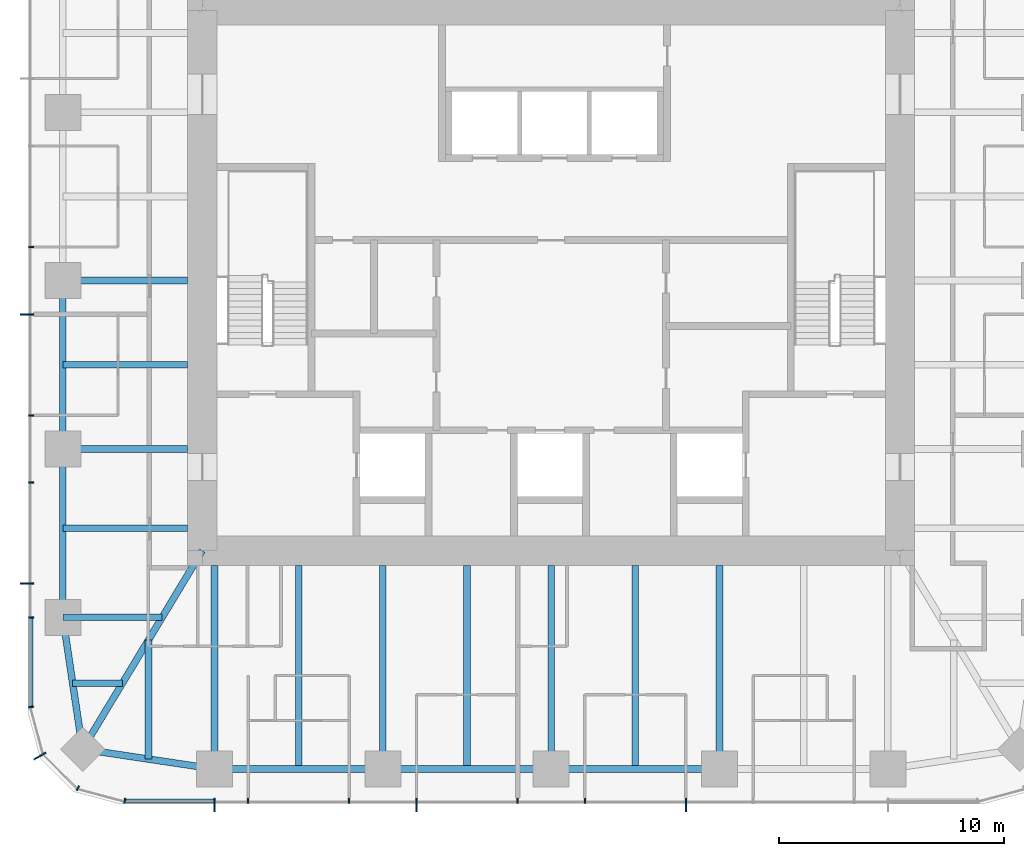
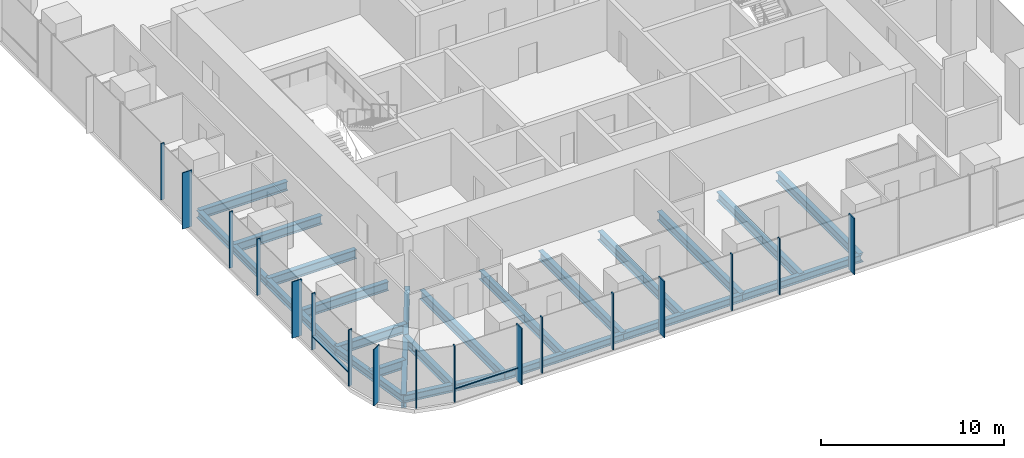
# One storey, part 2 of 12: 22 beams, 19 members, 3 elements without a shape of their own.
"""IFC4 building model written with IfcOpenShell, lengths in metres."""

import ifcopenshell
import ifcopenshell.guid

model = None  # the IFC model being written
_history = None  # IfcOwnerHistory: only IFC2X3 demands one
_inside = {}  # id of a spatial element -> (the spatial element, [elements in it])
_under = {}  # id of a project, library or spatial element -> (it, [spatial elements below it])
_declared = {}  # id of a project -> (the project, [libraries it declares])
_typed = {}  # id of a type object -> (the type object, [elements of that type])
_made_of = {}  # id of a material, layer set ... -> (it, [elements and type objects made of it])


def new_model(schema):
    """Start an empty IFC model of exactly this schema.

    Asked for "IFC4X3", IfcOpenShell would pick the latest addendum, in which some entities
    have other attributes; the version numbers below select the first issue.
    IFC2X3 requires an IfcOwnerHistory on every rooted entity: one is made here for all.
    """
    global model, _history
    if schema == "IFC4X3":
        model = ifcopenshell.file(schema_version=(4, 3, 0, 0))
    else:
        model = ifcopenshell.file(schema=schema)
    _inside.clear()
    _under.clear()
    _declared.clear()
    _typed.clear()
    _made_of.clear()
    _history = None
    if model.schema == "IFC2X3":
        org = make("IfcOrganization", Name="unknown")
        user = make(
            "IfcPersonAndOrganization",
            ThePerson=make("IfcPerson", FamilyName="unknown"),
            TheOrganization=org,
        )
        app = make(
            "IfcApplication",
            ApplicationDeveloper=org,
            Version="unknown",
            ApplicationFullName="unknown",
            ApplicationIdentifier="unknown",
        )
        _history = make(
            "IfcOwnerHistory",
            OwningUser=user,
            OwningApplication=app,
            ChangeAction="ADDED",
            CreationDate=0,
        )
    return model


def make(cls, **values):
    """One entity of the class cls with the attributes given. An attribute that is None is left unset."""
    return model.create_entity(
        cls, **{name: value for name, value in values.items() if value is not None}
    )


def rooted(cls, **values):
    """An entity with a GlobalId (a new one), such as an element, a storey or a relation."""
    return make(cls, GlobalId=ifcopenshell.guid.new(), OwnerHistory=_history, **values)


def si_unit(unit_type, name, prefix=None):
    """IfcSIUnit, for example si_unit("LENGTHUNIT", "METRE", prefix="MILLI")."""
    return make("IfcSIUnit", UnitType=unit_type, Prefix=prefix, Name=name)


def assignment(units):
    """IfcUnitAssignment: the units of a project."""
    return None if units is None else make("IfcUnitAssignment", Units=units)


def point(xyz):
    """IfcCartesianPoint."""
    return None if xyz is None else make("IfcCartesianPoint", Coordinates=xyz)


def direction(xyz):
    """IfcDirection."""
    return None if xyz is None else make("IfcDirection", DirectionRatios=xyz)


def frame(location, z_axis=None, x_axis=None):
    """IfcAxis2Placement3D, a coordinate frame: its origin and axes. An axis left out is left unset."""
    return make(
        "IfcAxis2Placement3D",
        Location=point(location),
        Axis=direction(z_axis),
        RefDirection=direction(x_axis),
    )


def frame_2d(location, x_axis=None):
    """IfcAxis2Placement2D, a coordinate frame in the plane: its origin and x axis."""
    return make(
        "IfcAxis2Placement2D", Location=point(location), RefDirection=direction(x_axis)
    )


def origin():
    """The frame at (0, 0, 0) with its axes left unset."""
    return frame((0.0, 0.0, 0.0))


def origin_2d():
    """The frame at (0, 0) in the plane with its x axis left unset."""
    return frame_2d((0.0, 0.0))


def place(relative_to, where):
    """IfcLocalPlacement: puts the frame where relative to a parent placement (None: the world)."""
    return make(
        "IfcLocalPlacement", PlacementRelTo=relative_to, RelativePlacement=where
    )


def context(
    kind, dimensions, precision=None, world=None, true_north=None, identifier=None
):
    """IfcGeometricRepresentationContext, for example the 3D "Model" context."""
    return make(
        "IfcGeometricRepresentationContext",
        ContextIdentifier=identifier,
        ContextType=kind,
        CoordinateSpaceDimension=dimensions,
        Precision=precision,
        WorldCoordinateSystem=world,
        TrueNorth=true_north,
    )


def subcontext(parent, identifier, kind, view, scale=None):
    """IfcGeometricRepresentationSubContext, for example "Body" below "Model"."""
    return make(
        "IfcGeometricRepresentationSubContext",
        ContextIdentifier=identifier,
        ContextType=kind,
        ParentContext=parent,
        TargetScale=scale,
        TargetView=view,
    )


def project(units=None, contexts=None):
    """IfcProject with its units and contexts."""
    return rooted(
        "IfcProject",
        Name="project",
        RepresentationContexts=contexts,
        UnitsInContext=assignment(units),
    )


def spatial(cls, under=None, at=None, **own):
    """A site, building, storey or space (cls), placed at a placement, below another one or the project."""
    s = rooted(cls, ObjectPlacement=at, **own)
    if under is not None:
        _under.setdefault(under.id(), (under, []))[1].append(s)
    return s


def profile(cls, at=None, kind="AREA", **sizes):
    """A parametric profile (cls). Its sizes go by their IFC names, for example OverallWidth=200.0."""
    return make(cls, ProfileType=kind, Position=at, **sizes)


def rectangle(**sizes):
    """IfcRectangleProfileDef."""
    return profile("IfcRectangleProfileDef", **sizes)


def i_section(**sizes):
    """IfcIShapeProfileDef."""
    return profile("IfcIShapeProfileDef", **sizes)


def extrude(swept, where, along, depth):
    """IfcExtrudedAreaSolid: the profile swept, set in the frame where, extruded along a direction by depth."""
    return make(
        "IfcExtrudedAreaSolid",
        SweptArea=swept,
        Position=where,
        ExtrudedDirection=direction(along),
        Depth=depth,
    )


def shape(context_of_items, identifier, shape_type, items):
    """IfcShapeRepresentation: the items that make up one representation, for example the "Body"."""
    return make(
        "IfcShapeRepresentation",
        ContextOfItems=context_of_items,
        RepresentationIdentifier=identifier,
        RepresentationType=shape_type,
        Items=items,
    )


def material(Name=None, Category=None):
    """IfcMaterial."""
    return make("IfcMaterial", Name=Name, Category=Category)


def material_profile(
    of_material, cross_section, Name=None, Category=None, Priority=None
):
    """IfcMaterialProfile: a cross section and its material."""
    return make(
        "IfcMaterialProfile",
        Name=Name,
        Material=of_material,
        Profile=cross_section,
        Priority=Priority,
        Category=Category,
    )


def profile_set(profiles, Name=None, composite=None):
    """IfcMaterialProfileSet."""
    return make(
        "IfcMaterialProfileSet",
        Name=Name,
        MaterialProfiles=profiles,
        CompositeProfile=composite,
    )


def made_of(thing, what):
    """Note that an element or type object is made of a material, layer set ...; save() writes the relation."""
    if what is not None:
        _made_of.setdefault(what.id(), (what, []))[1].append(thing)
    return thing


def type_object(cls, material=None, **own):
    """A type object (cls), such as IfcWallType, which elements share."""
    return made_of(rooted(cls, **own), material)


def element(
    cls,
    number,
    at=None,
    inside=None,
    cuts=None,
    type_object=None,
    material=None,
    context=None,
    identifier="Body",
    shape_type=None,
    held_by="IfcProductDefinitionShape",
    body=None,
    shapes=None,
    **own,
):
    """One element of the class cls, such as IfcWall. Its Tag is "e" and its number.

    at: its placement. inside: the storey or other place that contains it. cuts: it is an
    opening in that element (IfcRelVoidsElement). A single representation is given by context,
    identifier, shape_type and body (its items); several are given by shapes. held_by: the class
    of the entity that holds the representations. save() writes the other relations.
    """
    e = rooted(cls, Tag="e%d" % number, ObjectPlacement=at, **own)
    if body is not None:
        shapes = [shape(context, identifier, shape_type, body)]
    if shapes is not None:
        e.Representation = make(held_by, Representations=shapes)
    if inside is not None:
        _inside.setdefault(inside.id(), (inside, []))[1].append(e)
    if cuts is not None:
        rooted(
            "IfcRelVoidsElement", RelatingBuildingElement=cuts, RelatedOpeningElement=e
        )
    if type_object is not None:
        _typed.setdefault(type_object.id(), (type_object, []))[1].append(e)
    return made_of(e, material)


def aggregate(whole, parts):
    """IfcRelAggregates: a whole, such as a stair, and the parts it consists of."""
    return rooted("IfcRelAggregates", RelatingObject=whole, RelatedObjects=parts)


def save(model, path):
    """Write the relations noted so far, then the file.

    IfcRelAggregates (storeys below a building ...), IfcRelContainedInSpatialStructure (elements
    in a storey), IfcRelDefinesByType, IfcRelAssociatesMaterial and IfcRelDeclares: one each for
    every whole, place, type object, material and project.
    """
    for whole, parts in _under.values():
        aggregate(whole, parts)
    for where, things in _inside.values():
        rooted(
            "IfcRelContainedInSpatialStructure",
            RelatedElements=things,
            RelatingStructure=where,
        )
    for kind, things in _typed.values():
        rooted("IfcRelDefinesByType", RelatedObjects=things, RelatingType=kind)
    for what, things in _made_of.values():
        rooted("IfcRelAssociatesMaterial", RelatedObjects=things, RelatingMaterial=what)
    for by, libraries in _declared.values():
        rooted("IfcRelDeclares", RelatingContext=by, RelatedDefinitions=libraries)
    model.write(path)


model = new_model("IFC4")

# Units and contexts
model_context = context("Model", 3, precision=1e-05, world=origin(), true_north=direction((0.0, 1.0)))
body_context = subcontext(model_context, "Body", "Model", "MODEL_VIEW")
ifc_project = project(units=[si_unit("LENGTHUNIT", "METRE"), si_unit("AREAUNIT", "SQUARE_METRE"), si_unit("VOLUMEUNIT", "CUBIC_METRE"), si_unit("PLANEANGLEUNIT", "RADIAN"), si_unit("MASSUNIT", "GRAM", prefix="KILO")], contexts=[model_context])

# Site, building, storey
site_placement = place(None, origin())
site = spatial("IfcSite", under=ifc_project, at=site_placement, CompositionType="ELEMENT")
building_placement = place(site_placement, origin())
building = spatial("IfcBuilding", under=site, at=building_placement, Name="Khuree Lantern Residences", CompositionType="ELEMENT")
storey_placement = place(building_placement, frame((0.0, 0.0, 330.75)))
storey = spatial("IfcBuildingStorey", under=building, at=storey_placement, Name="L83", CompositionType="ELEMENT", Elevation=330.75)

# Beams
ifc_material_1 = material(Name="Steel S355", Category="steel")
ifc_material_profile_1 = material_profile(ifc_material_1, i_section(OverallWidth=0.300048828125, OverallDepth=0.590087890625, WebThickness=0.012939453125, FlangeThickness=0.02490234375, FilletRadius=0.027099609375, at=origin_2d()), Name="HE 600 A")
ifc_profile_set_1 = profile_set([ifc_material_profile_1], Name="Steel S355")
beam_type_1 = type_object("IfcBeamType", Name="B-44 SECONDARY BEAM HE 600 A", PredefinedType="BEAM", material=ifc_profile_set_1)
for number, where, z_axis, x_axis, name in (
    (1, (3.739990234375, -21.699951171875, -0.544921875), (0.0, 1.0, 0.0), (-1.0, 0.0, 0.0), "Secondary beam S3"),
    (2, (-3.739990234375, -21.699951171875, -0.544921875), (0.0, 1.0, 0.0), (-1.0, 0.0, 0.0), "Secondary beam S4"),
    (3, (-11.219970703125, -21.699951171875, -0.544921875), (0.0, 1.0, 0.0), (-1.0, 0.0, 0.0), "Secondary beam S5"),
):
    element("IfcBeam", number, at=place(storey_placement, frame(where, z_axis=z_axis, x_axis=x_axis)), inside=storey, type_object=beam_type_1, Name=name, PredefinedType="BEAM", context=body_context, shape_type="SweptSolid", body=[
        extrude(i_section(OverallWidth=0.300048828125, OverallDepth=0.590087890625, WebThickness=0.012939453125, FlangeThickness=0.02490234375, FilletRadius=0.027099609375, at=origin_2d()), origin(), (0.0, 0.0, 1.0), 9.050048828125),
    ])
beam_1_placement = place(storey_placement, frame((-17.890625, -21.2607421875, -0.544921875), z_axis=(0.0, 1.0, 0.0), x_axis=(-1.0, 0.0, 0.0)))
element("IfcBeam", 4, at=beam_1_placement, inside=storey, type_object=beam_type_1, Name="Secondary beam S6", PredefinedType="BEAM", context=body_context, shape_type="SweptSolid", body=[
    extrude(i_section(OverallWidth=0.300048828125, OverallDepth=0.590087890625, WebThickness=0.012939453125, FlangeThickness=0.02490234375, FilletRadius=0.027099609375, at=origin_2d()), origin(), (0.0, 0.0, 1.0), 5.297607421875),
])
beam_2_placement = place(storey_placement, frame((-21.2607421875, -17.890625, -0.544921875), z_axis=(1.0, 0.0, 0.0), x_axis=(0.0, 1.0, 0.0)))
element("IfcBeam", 5, at=beam_2_placement, inside=storey, type_object=beam_type_1, Name="Secondary beam W1", PredefinedType="BEAM", context=body_context, shape_type="SweptSolid", body=[
    extrude(i_section(OverallWidth=0.300048828125, OverallDepth=0.590087890625, WebThickness=0.012939453125, FlangeThickness=0.02490234375, FilletRadius=0.027099609375, at=origin_2d()), origin(), (0.0, 0.0, 1.0), 2.207275390625),
])
for number, where, z_axis, x_axis, name in (
    (6, (-21.699951171875, -11.0, -0.544921875), (1.0, 0.0, 0.0), (0.0, 1.0, 0.0), "Secondary beam W2"),
    (7, (-21.699951171875, -3.739990234375, -0.544921875), (1.0, 0.0, 0.0), (0.0, 1.0, 0.0), "Secondary beam W3"),
):
    element("IfcBeam", number, at=place(storey_placement, frame(where, z_axis=z_axis, x_axis=x_axis)), inside=storey, type_object=beam_type_1, Name=name, PredefinedType="BEAM", context=body_context, shape_type="SweptSolid", body=[
        extrude(i_section(OverallWidth=0.300048828125, OverallDepth=0.590087890625, WebThickness=0.012939453125, FlangeThickness=0.02490234375, FilletRadius=0.027099609375, at=origin_2d()), origin(), (0.0, 0.0, 1.0), 5.550048828125),
    ])
ifc_material_profile_2 = material_profile(ifc_material_1, i_section(OverallWidth=0.300048828125, OverallDepth=0.489990234375, WebThickness=0.011962890625, FlangeThickness=0.02294921875, FilletRadius=0.027099609375, at=origin_2d()), Name="HE 500 A")
ifc_profile_set_2 = profile_set([ifc_material_profile_2], Name="Steel S355")
beam_type_2 = type_object("IfcBeamType", Name="E-44 SPANDREL BEAM HE 500 A", PredefinedType="SPANDREL", material=ifc_profile_set_2)
for number, where, z_axis, x_axis, name in (
    (8, (7.47998046875, -21.699951171875, -0.4951171875), (-1.0, 0.0, 0.0), (0.0, -1.0, 0.0), "Spandrel beam S3"),
    (9, (0.0, -21.699951171875, -0.4951171875), (-1.0, 0.0, 0.0), (0.0, -1.0, 0.0), "Spandrel beam S4"),
    (10, (-7.47998046875, -21.699951171875, -0.4951171875), (-1.0, 0.0, 0.0), (0.0, -1.0, 0.0), "Spandrel beam S5"),
):
    element("IfcBeam", number, at=place(storey_placement, frame(where, z_axis=z_axis, x_axis=x_axis)), inside=storey, type_object=beam_type_2, Name=name, PredefinedType="SPANDREL", context=body_context, shape_type="SweptSolid", body=[
        extrude(i_section(OverallWidth=0.300048828125, OverallDepth=0.489990234375, WebThickness=0.011962890625, FlangeThickness=0.02294921875, FilletRadius=0.027099609375, at=origin_2d()), origin(), (0.0, 0.0, 1.0), 7.47998046875),
    ])
for number, where, z_axis, x_axis, name in (
    (11, (-14.9599609375, -21.699951171875, -0.4951171875), (-0.988949643299, 0.148251822985, 0.0), (-0.148251822985, -0.988949643299, 0.0), "Spandrel beam S6"),
    (12, (-20.8212890625, -20.8212890625, -0.4951171875), (-0.148251822985, 0.988949643299, 0.0), (-0.988949643299, -0.148251822985, 0.0), "Spandrel beam W1"),
):
    element("IfcBeam", number, at=place(storey_placement, frame(where, z_axis=z_axis, x_axis=x_axis)), inside=storey, type_object=beam_type_2, Name=name, PredefinedType="SPANDREL", context=body_context, shape_type="SweptSolid", body=[
        extrude(i_section(OverallWidth=0.300048828125, OverallDepth=0.489990234375, WebThickness=0.011962890625, FlangeThickness=0.02294921875, FilletRadius=0.027099609375, at=origin_2d()), origin(), (0.0, 0.0, 1.0), 5.9267578125),
    ])
for number, where, z_axis, x_axis, name in (
    (13, (-21.699951171875, -14.9599609375, -0.4951171875), (0.0, 1.0, 0.0), (-1.0, 0.0, 0.0), "Spandrel beam W2"),
    (14, (-21.699951171875, -7.47998046875, -0.4951171875), (0.0, 1.0, 0.0), (-1.0, 0.0, 0.0), "Spandrel beam W3"),
):
    element("IfcBeam", number, at=place(storey_placement, frame(where, z_axis=z_axis, x_axis=x_axis)), inside=storey, type_object=beam_type_2, Name=name, PredefinedType="SPANDREL", context=body_context, shape_type="SweptSolid", body=[
        extrude(i_section(OverallWidth=0.300048828125, OverallDepth=0.489990234375, WebThickness=0.011962890625, FlangeThickness=0.02294921875, FilletRadius=0.027099609375, at=origin_2d()), origin(), (0.0, 0.0, 1.0), 7.47998046875),
    ])

# Curtain wall, members
ifc_material_2 = material(Name="Bronze anodised aluminium", Category="aluminium")
curtain_wall_type_1 = type_object("IfcCurtainWallType", Name="CW-T1 TOWER FACE CURTAIN WALL", PredefinedType="USERDEFINED", material=ifc_material_2)
curtain_wall_1_placement = place(storey_placement, origin())
curtain_wall_1 = element("IfcCurtainWall", 15, at=curtain_wall_1_placement, inside=storey, type_object=curtain_wall_type_1, Name="L83 WEST FACE CURTAIN WALL", ObjectType="Stick-built curtain wall", PredefinedType="USERDEFINED")
ifc_material_profile_3 = material_profile(ifc_material_2, rectangle(XDim=0.06494140625, YDim=0.60009765625, at=origin_2d()), Name="F1 65X600")
ifc_profile_set_3 = profile_set([ifc_material_profile_3], Name="Bronze anodised aluminium")
member_type_1 = type_object("IfcMemberType", Name="F1 BRONZE FIN MULLION TOWER 65X600", PredefinedType="MULLION", material=ifc_profile_set_3)
member_1_placement = place(storey_placement, frame((-23.300048828125, -1.49609375, 0.0), z_axis=(0.0, 0.0, 1.0), x_axis=(0.0, -1.0, 0.0)))
member_1 = element("IfcMember", 16, at=member_1_placement, type_object=member_type_1, Name="L83 WEST FACE FIN MULLION 38", PredefinedType="MULLION", context=body_context, shape_type="SweptSolid", body=[
    extrude(rectangle(XDim=0.06494140625, YDim=0.60009765625, at=origin_2d()), origin(), (0.0, 0.0, 1.0), 3.75),
])
member_2_placement = place(storey_placement, frame((-23.300048828125, -13.464111328125, 0.0), z_axis=(0.0, 0.0, 1.0), x_axis=(0.0, -1.0, 0.0)))
member_2 = element("IfcMember", 17, at=member_2_placement, type_object=member_type_1, Name="L83 WEST FACE FIN MULLION 41", PredefinedType="MULLION", context=body_context, shape_type="SweptSolid", body=[
    extrude(rectangle(XDim=0.06494140625, YDim=0.60009765625, at=origin_2d()), origin(), (0.0, 0.0, 1.0), 3.75),
])

# Curtain wall, member
curtain_wall_type_2 = type_object("IfcCurtainWallType", Name="CW-T2 TOWER CORNER CURTAIN WALL", PredefinedType="USERDEFINED", material=ifc_material_2)
curtain_wall_2_placement = place(storey_placement, origin())
curtain_wall_2 = element("IfcCurtainWall", 18, at=curtain_wall_2_placement, inside=storey, type_object=curtain_wall_type_2, Name="L83 SOUTH-WEST CORNER CURTAIN WALL", ObjectType="Faceted corner curtain wall", PredefinedType="USERDEFINED")
member_3_placement = place(storey_placement, frame((-22.71728515625, -21.125, 0.0), z_axis=(0.0, 0.0, 1.0), x_axis=(0.49999994149, -0.866025437565, 0.0)))
member_3 = element("IfcMember", 19, at=member_3_placement, type_object=member_type_1, Name="L83 SOUTH-WEST CORNER FIN MULLION 44", PredefinedType="MULLION", context=body_context, shape_type="SweptSolid", body=[
    extrude(rectangle(XDim=0.06494140625, YDim=0.60009765625, at=origin_2d()), origin(), (0.0, 0.0, 1.0), 3.75),
])

# Curtain wall, members
curtain_wall_3_placement = place(storey_placement, origin())
curtain_wall_3 = element("IfcCurtainWall", 20, at=curtain_wall_3_placement, inside=storey, type_object=curtain_wall_type_1, Name="L83 SOUTH FACE CURTAIN WALL", ObjectType="Stick-built curtain wall", PredefinedType="USERDEFINED")
member_4_placement = place(storey_placement, frame((-14.9599609375, -23.300048828125, 0.0), z_axis=(0.0, 0.0, 1.0), x_axis=(1.0, 0.0, 0.0)))
member_4 = element("IfcMember", 21, at=member_4_placement, type_object=member_type_1, Name="L83 SOUTH FACE FIN MULLION 47", PredefinedType="MULLION", context=body_context, shape_type="SweptSolid", body=[
    extrude(rectangle(XDim=0.06494140625, YDim=0.60009765625, at=origin_2d()), origin(), (0.0, 0.0, 1.0), 3.75),
])
member_5_placement = place(storey_placement, frame((-5.98388671875, -23.300048828125, 0.0), z_axis=(0.0, 0.0, 1.0), x_axis=(1.0, 0.0, 0.0)))
member_5 = element("IfcMember", 22, at=member_5_placement, type_object=member_type_1, Name="L83 SOUTH FACE FIN MULLION 50", PredefinedType="MULLION", context=body_context, shape_type="SweptSolid", body=[
    extrude(rectangle(XDim=0.06494140625, YDim=0.60009765625, at=origin_2d()), origin(), (0.0, 0.0, 1.0), 3.75),
])
member_6_placement = place(storey_placement, frame((5.98388671875, -23.300048828125, 0.0), z_axis=(0.0, 0.0, 1.0), x_axis=(1.0, 0.0, 0.0)))
member_6 = element("IfcMember", 23, at=member_6_placement, type_object=member_type_1, Name="L83 SOUTH FACE FIN MULLION 53", PredefinedType="MULLION", context=body_context, shape_type="SweptSolid", body=[
    extrude(rectangle(XDim=0.06494140625, YDim=0.60009765625, at=origin_2d()), origin(), (0.0, 0.0, 1.0), 3.75),
])

# Beams
ifc_material_profile_4 = material_profile(ifc_material_1, i_section(OverallWidth=0.300048828125, OverallDepth=0.60009765625, WebThickness=0.015380859375, FlangeThickness=0.030029296875, FilletRadius=0.027099609375, at=origin_2d()), Name="HE 600 B")
ifc_profile_set_4 = profile_set([ifc_material_profile_4], Name="Steel S355")
beam_type_3 = type_object("IfcBeamType", Name="G-44 GIRDER HE 600 B", PredefinedType="BEAM", material=ifc_profile_set_4)
for number, where, z_axis, x_axis, name in (
    (24, (7.47998046875, -21.699951171875, -0.550048828125), (0.0, 1.0, 0.0), (-1.0, 0.0, 0.0), "Girder S2"),
    (25, (0.0, -21.699951171875, -0.550048828125), (0.0, 1.0, 0.0), (-1.0, 0.0, 0.0), "Girder S3"),
    (26, (-7.47998046875, -21.699951171875, -0.550048828125), (0.0, 1.0, 0.0), (-1.0, 0.0, 0.0), "Girder S4"),
    (27, (-14.9599609375, -21.699951171875, -0.550048828125), (0.0, 1.0, 0.0), (-1.0, 0.0, 0.0), "Girder S5"),
):
    element("IfcBeam", number, at=place(storey_placement, frame(where, z_axis=z_axis, x_axis=x_axis)), inside=storey, type_object=beam_type_3, Name=name, PredefinedType="BEAM", context=body_context, shape_type="SweptSolid", body=[
        extrude(i_section(OverallWidth=0.300048828125, OverallDepth=0.60009765625, WebThickness=0.015380859375, FlangeThickness=0.030029296875, FilletRadius=0.027099609375, at=origin_2d()), origin(), (0.0, 0.0, 1.0), 9.050048828125),
    ])
beam_3_placement = place(storey_placement, frame((-21.699951171875, -14.9599609375, -0.550048828125), z_axis=(1.0, 0.0, 0.0), x_axis=(0.0, 1.0, 0.0)))
element("IfcBeam", 28, at=beam_3_placement, inside=storey, type_object=beam_type_3, Name="Girder W1", PredefinedType="BEAM", context=body_context, shape_type="SweptSolid", body=[
    extrude(i_section(OverallWidth=0.300048828125, OverallDepth=0.60009765625, WebThickness=0.015380859375, FlangeThickness=0.030029296875, FilletRadius=0.027099609375, at=origin_2d()), origin(), (0.0, 0.0, 1.0), 4.414306640625),
])
for number, where, z_axis, x_axis, name in (
    (29, (-21.699951171875, -7.47998046875, -0.550048828125), (1.0, 0.0, 0.0), (0.0, 1.0, 0.0), "Girder W2"),
    (30, (-21.699951171875, 0.0, -0.550048828125), (1.0, 0.0, 0.0), (0.0, 1.0, 0.0), "Girder W3"),
):
    element("IfcBeam", number, at=place(storey_placement, frame(where, z_axis=z_axis, x_axis=x_axis)), inside=storey, type_object=beam_type_3, Name=name, PredefinedType="BEAM", context=body_context, shape_type="SweptSolid", body=[
        extrude(i_section(OverallWidth=0.300048828125, OverallDepth=0.60009765625, WebThickness=0.015380859375, FlangeThickness=0.030029296875, FilletRadius=0.027099609375, at=origin_2d()), origin(), (0.0, 0.0, 1.0), 5.550048828125),
    ])
ifc_material_profile_5 = material_profile(ifc_material_1, i_section(OverallWidth=0.300048828125, OverallDepth=0.89990234375, WebThickness=0.0185546875, FlangeThickness=0.034912109375, FilletRadius=0.030029296875, at=origin_2d()), Name="HE 900 B")
ifc_profile_set_5 = profile_set([ifc_material_profile_5], Name="Steel S355")
beam_type_4 = type_object("IfcBeamType", Name="GD-44 CORNER GIRDER HE 900 B", PredefinedType="BEAM", material=ifc_profile_set_5)
beam_4_placement = place(storey_placement, frame((-20.8212890625, -20.8212890625, -0.699951171875), z_axis=(0.516529577604, 0.856269347495, 0.0), x_axis=(-0.856269347495, 0.516529577604, 0.0)))
element("IfcBeam", 31, at=beam_4_placement, inside=storey, type_object=beam_type_4, Name="Corner girder SW", PredefinedType="BEAM", context=body_context, shape_type="SweptSolid", body=[
    extrude(i_section(OverallWidth=0.300048828125, OverallDepth=0.89990234375, WebThickness=0.0185546875, FlangeThickness=0.034912109375, FilletRadius=0.030029296875, at=origin_2d()), origin(), (0.0, 0.0, 1.0), 10.302001953125),
])

# Member
ifc_material_profile_6 = material_profile(ifc_material_2, rectangle(XDim=0.06494140625, YDim=0.219970703125, at=origin_2d()), Name="M1 65X220")
ifc_profile_set_6 = profile_set([ifc_material_profile_6], Name="Bronze anodised aluminium")
member_type_2 = type_object("IfcMemberType", Name="M1 BRONZE MULLION TOWER 65X220", PredefinedType="MULLION", material=ifc_profile_set_6)
member_7_placement = place(storey_placement, frame((-23.110107421875, 1.49609375, 0.0), z_axis=(0.0, 0.0, 1.0), x_axis=(0.0, -1.0, 0.0)))
member_7 = element("IfcMember", 32, at=member_7_placement, type_object=member_type_2, Name="L83 WEST FACE MULLION 37", PredefinedType="MULLION", context=body_context, shape_type="SweptSolid", body=[
    extrude(rectangle(XDim=0.06494140625, YDim=0.219970703125, at=origin_2d()), origin(), (0.0, 0.0, 1.0), 3.75),
])

member_8_placement = place(storey_placement, frame((-23.110107421875, -5.98388671875, 0.0), z_axis=(0.0, 0.0, 1.0), x_axis=(0.0, -1.0, 0.0)))
member_8 = element("IfcMember", 33, at=member_8_placement, type_object=member_type_2, Name="L83 WEST FACE MULLION 39", PredefinedType="MULLION", context=body_context, shape_type="SweptSolid", body=[
    extrude(rectangle(XDim=0.06494140625, YDim=0.219970703125, at=origin_2d()), origin(), (0.0, 0.0, 1.0), 3.75),
])

member_9_placement = place(storey_placement, frame((-23.110107421875, -8.97607421875, 0.0), z_axis=(0.0, 0.0, 1.0), x_axis=(0.0, -1.0, 0.0)))
member_9 = element("IfcMember", 34, at=member_9_placement, type_object=member_type_2, Name="L83 WEST FACE MULLION 40", PredefinedType="MULLION", context=body_context, shape_type="SweptSolid", body=[
    extrude(rectangle(XDim=0.06494140625, YDim=0.219970703125, at=origin_2d()), origin(), (0.0, 0.0, 1.0), 3.75),
])

member_10_placement = place(storey_placement, frame((-23.110107421875, -14.9599609375, 0.0), z_axis=(0.0, 0.0, 1.0), x_axis=(0.0, -1.0, 0.0)))
member_10 = element("IfcMember", 35, at=member_10_placement, type_object=member_type_2, Name="L83 WEST FACE MULLION 42", PredefinedType="MULLION", context=body_context, shape_type="SweptSolid", body=[
    extrude(rectangle(XDim=0.06494140625, YDim=0.219970703125, at=origin_2d()), origin(), (0.0, 0.0, 1.0), 3.75),
])

member_11_placement = place(storey_placement, frame((-23.11181640625, -18.945068359375, 0.0), z_axis=(0.0, 0.0, 1.0), x_axis=(0.130526125236, -0.991444870192, 0.0)))
member_11 = element("IfcMember", 36, at=member_11_placement, type_object=member_type_2, Name="L83 SOUTH-WEST CORNER MULLION 43", PredefinedType="MULLION", context=body_context, shape_type="SweptSolid", body=[
    extrude(rectangle(XDim=0.06494140625, YDim=0.219970703125, at=origin_2d()), origin(), (0.0, 0.0, 1.0), 3.75),
])

member_12_placement = place(storey_placement, frame((-21.030029296875, -22.552734375, 0.0), z_axis=(0.0, 0.0, 1.0), x_axis=(0.866025437565, -0.49999994149, 0.0)))
member_12 = element("IfcMember", 37, at=member_12_placement, type_object=member_type_2, Name="L83 SOUTH-WEST CORNER MULLION 45", PredefinedType="MULLION", context=body_context, shape_type="SweptSolid", body=[
    extrude(rectangle(XDim=0.06494140625, YDim=0.219970703125, at=origin_2d()), origin(), (0.0, 0.0, 1.0), 3.75),
])

aggregate(curtain_wall_2, [member_11, member_3, member_12])

member_13_placement = place(storey_placement, frame((-18.945068359375, -23.11181640625, 0.0), z_axis=(0.0, 0.0, 1.0), x_axis=(0.991444870192, -0.130526125236, 0.0)))
member_13 = element("IfcMember", 38, at=member_13_placement, type_object=member_type_2, Name="L83 SOUTH FACE MULLION 46", PredefinedType="MULLION", context=body_context, shape_type="SweptSolid", body=[
    extrude(rectangle(XDim=0.06494140625, YDim=0.219970703125, at=origin_2d()), origin(), (0.0, 0.0, 1.0), 3.75),
])

member_14_placement = place(storey_placement, frame((-13.464111328125, -23.110107421875, 0.0), z_axis=(0.0, 0.0, 1.0), x_axis=(1.0, 0.0, 0.0)))
member_14 = element("IfcMember", 39, at=member_14_placement, type_object=member_type_2, Name="L83 SOUTH FACE MULLION 48", PredefinedType="MULLION", context=body_context, shape_type="SweptSolid", body=[
    extrude(rectangle(XDim=0.06494140625, YDim=0.219970703125, at=origin_2d()), origin(), (0.0, 0.0, 1.0), 3.75),
])

member_15_placement = place(storey_placement, frame((-8.97607421875, -23.110107421875, 0.0), z_axis=(0.0, 0.0, 1.0), x_axis=(1.0, 0.0, 0.0)))
member_15 = element("IfcMember", 40, at=member_15_placement, type_object=member_type_2, Name="L83 SOUTH FACE MULLION 49", PredefinedType="MULLION", context=body_context, shape_type="SweptSolid", body=[
    extrude(rectangle(XDim=0.06494140625, YDim=0.219970703125, at=origin_2d()), origin(), (0.0, 0.0, 1.0), 3.75),
])

member_16_placement = place(storey_placement, frame((-1.49609375, -23.110107421875, 0.0), z_axis=(0.0, 0.0, 1.0), x_axis=(1.0, 0.0, 0.0)))
member_16 = element("IfcMember", 41, at=member_16_placement, type_object=member_type_2, Name="L83 SOUTH FACE MULLION 51", PredefinedType="MULLION", context=body_context, shape_type="SweptSolid", body=[
    extrude(rectangle(XDim=0.06494140625, YDim=0.219970703125, at=origin_2d()), origin(), (0.0, 0.0, 1.0), 3.75),
])

member_17_placement = place(storey_placement, frame((1.49609375, -23.110107421875, 0.0), z_axis=(0.0, 0.0, 1.0), x_axis=(1.0, 0.0, 0.0)))
member_17 = element("IfcMember", 42, at=member_17_placement, type_object=member_type_2, Name="L83 SOUTH FACE MULLION 52", PredefinedType="MULLION", context=body_context, shape_type="SweptSolid", body=[
    extrude(rectangle(XDim=0.06494140625, YDim=0.219970703125, at=origin_2d()), origin(), (0.0, 0.0, 1.0), 3.75),
])

ifc_material_profile_7 = material_profile(ifc_material_2, rectangle(XDim=0.179931640625, YDim=0.06494140625, at=origin_2d()), Name="T1 180X65")
ifc_profile_set_7 = profile_set([ifc_material_profile_7], Name="Bronze anodised aluminium")
member_type_3 = type_object("IfcMemberType", Name="TRANSOM T1 TOWER 180X65", PredefinedType="USERDEFINED", material=ifc_profile_set_7)
member_18_placement = place(storey_placement, frame((-23.1201171875, -14.992431640625, 0.89990234375), z_axis=(0.0, -1.0, 0.0), x_axis=(1.0, 0.0, 0.0)))
member_18 = element("IfcMember", 43, at=member_18_placement, type_object=member_type_3, Name="L83 WEST FACE TRANSOM 42.1", ObjectType="Transom", PredefinedType="USERDEFINED", context=body_context, shape_type="SweptSolid", body=[
    extrude(rectangle(XDim=0.179931640625, YDim=0.06494140625, at=origin_2d()), origin(), (0.0, 0.0, 1.0), 3.908935546875),
])

aggregate(curtain_wall_1, [member_7, member_1, member_8, member_9, member_2, member_10, member_18])

member_19_placement = place(storey_placement, frame((-18.9013671875, -23.1201171875, 0.89990234375), z_axis=(1.0, 0.0, 0.0), x_axis=(0.0, 1.0, 0.0)))
member_19 = element("IfcMember", 44, at=member_19_placement, type_object=member_type_3, Name="L83 SOUTH FACE TRANSOM 46.1", ObjectType="Transom", PredefinedType="USERDEFINED", context=body_context, shape_type="SweptSolid", body=[
    extrude(rectangle(XDim=0.179931640625, YDim=0.06494140625, at=origin_2d()), origin(), (0.0, 0.0, 1.0), 3.908935546875),
])

aggregate(curtain_wall_3, [member_13, member_4, member_14, member_15, member_5, member_16, member_17, member_6, member_19])

save(model, "model.ifc")
